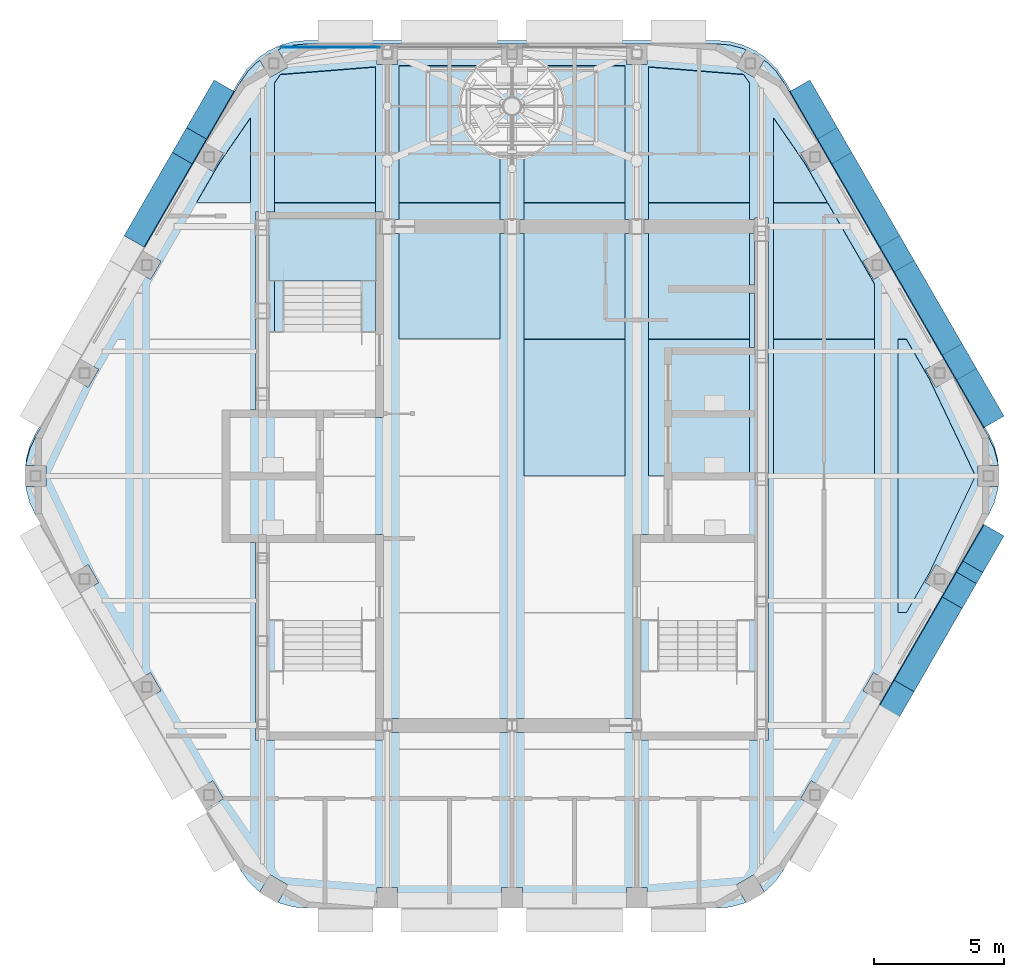
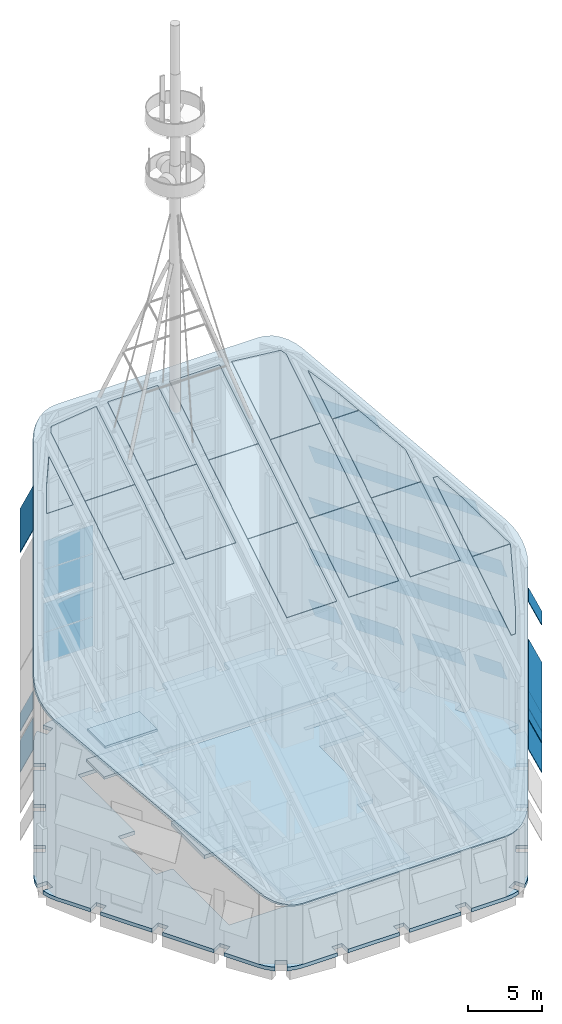
# One storey, part 8 of 25: 35 plates, 5 slabs, 3 elements without a shape of their own.
"""IFC4 building model written with IfcOpenShell, lengths in metres."""

import ifcopenshell
import ifcopenshell.guid

model = None  # the IFC model being written
_history = None  # IfcOwnerHistory: only IFC2X3 demands one
_inside = {}  # id of a spatial element -> (the spatial element, [elements in it])
_under = {}  # id of a project, library or spatial element -> (it, [spatial elements below it])
_declared = {}  # id of a project -> (the project, [libraries it declares])
_typed = {}  # id of a type object -> (the type object, [elements of that type])
_made_of = {}  # id of a material, layer set ... -> (it, [elements and type objects made of it])


def new_model(schema):
    """Start an empty IFC model of exactly this schema.

    Asked for "IFC4X3", IfcOpenShell would pick the latest addendum, in which some entities
    have other attributes; the version numbers below select the first issue.
    IFC2X3 requires an IfcOwnerHistory on every rooted entity: one is made here for all.
    """
    global model, _history
    if schema == "IFC4X3":
        model = ifcopenshell.file(schema_version=(4, 3, 0, 0))
    else:
        model = ifcopenshell.file(schema=schema)
    _inside.clear()
    _under.clear()
    _declared.clear()
    _typed.clear()
    _made_of.clear()
    _history = None
    if model.schema == "IFC2X3":
        org = make("IfcOrganization", Name="unknown")
        user = make(
            "IfcPersonAndOrganization",
            ThePerson=make("IfcPerson", FamilyName="unknown"),
            TheOrganization=org,
        )
        app = make(
            "IfcApplication",
            ApplicationDeveloper=org,
            Version="unknown",
            ApplicationFullName="unknown",
            ApplicationIdentifier="unknown",
        )
        _history = make(
            "IfcOwnerHistory",
            OwningUser=user,
            OwningApplication=app,
            ChangeAction="ADDED",
            CreationDate=0,
        )
    return model


def make(cls, **values):
    """One entity of the class cls with the attributes given. An attribute that is None is left unset."""
    return model.create_entity(
        cls, **{name: value for name, value in values.items() if value is not None}
    )


def rooted(cls, **values):
    """An entity with a GlobalId (a new one), such as an element, a storey or a relation."""
    return make(cls, GlobalId=ifcopenshell.guid.new(), OwnerHistory=_history, **values)


def si_unit(unit_type, name, prefix=None):
    """IfcSIUnit, for example si_unit("LENGTHUNIT", "METRE", prefix="MILLI")."""
    return make("IfcSIUnit", UnitType=unit_type, Prefix=prefix, Name=name)


def assignment(units):
    """IfcUnitAssignment: the units of a project."""
    return None if units is None else make("IfcUnitAssignment", Units=units)


def point(xyz):
    """IfcCartesianPoint."""
    return None if xyz is None else make("IfcCartesianPoint", Coordinates=xyz)


def direction(xyz):
    """IfcDirection."""
    return None if xyz is None else make("IfcDirection", DirectionRatios=xyz)


def frame(location, z_axis=None, x_axis=None):
    """IfcAxis2Placement3D, a coordinate frame: its origin and axes. An axis left out is left unset."""
    return make(
        "IfcAxis2Placement3D",
        Location=point(location),
        Axis=direction(z_axis),
        RefDirection=direction(x_axis),
    )


def frame_2d(location, x_axis=None):
    """IfcAxis2Placement2D, a coordinate frame in the plane: its origin and x axis."""
    return make(
        "IfcAxis2Placement2D", Location=point(location), RefDirection=direction(x_axis)
    )


def origin():
    """The frame at (0, 0, 0) with its axes left unset."""
    return frame((0.0, 0.0, 0.0))


def origin_2d():
    """The frame at (0, 0) in the plane with its x axis left unset."""
    return frame_2d((0.0, 0.0))


def place(relative_to, where):
    """IfcLocalPlacement: puts the frame where relative to a parent placement (None: the world)."""
    return make(
        "IfcLocalPlacement", PlacementRelTo=relative_to, RelativePlacement=where
    )


def context(
    kind, dimensions, precision=None, world=None, true_north=None, identifier=None
):
    """IfcGeometricRepresentationContext, for example the 3D "Model" context."""
    return make(
        "IfcGeometricRepresentationContext",
        ContextIdentifier=identifier,
        ContextType=kind,
        CoordinateSpaceDimension=dimensions,
        Precision=precision,
        WorldCoordinateSystem=world,
        TrueNorth=true_north,
    )


def subcontext(parent, identifier, kind, view, scale=None):
    """IfcGeometricRepresentationSubContext, for example "Body" below "Model"."""
    return make(
        "IfcGeometricRepresentationSubContext",
        ContextIdentifier=identifier,
        ContextType=kind,
        ParentContext=parent,
        TargetScale=scale,
        TargetView=view,
    )


def project(units=None, contexts=None):
    """IfcProject with its units and contexts."""
    return rooted(
        "IfcProject",
        Name="project",
        RepresentationContexts=contexts,
        UnitsInContext=assignment(units),
    )


def spatial(cls, under=None, at=None, **own):
    """A site, building, storey or space (cls), placed at a placement, below another one or the project."""
    s = rooted(cls, ObjectPlacement=at, **own)
    if under is not None:
        _under.setdefault(under.id(), (under, []))[1].append(s)
    return s


def polyline(points):
    """IfcPolyline through the points."""
    return make("IfcPolyline", Points=[point(p) for p in points])


def profile(cls, at=None, kind="AREA", **sizes):
    """A parametric profile (cls). Its sizes go by their IFC names, for example OverallWidth=200.0."""
    return make(cls, ProfileType=kind, Position=at, **sizes)


def rectangle(**sizes):
    """IfcRectangleProfileDef."""
    return profile("IfcRectangleProfileDef", **sizes)


def outline(outer, holes=None, kind="AREA"):
    """IfcArbitraryClosedProfileDef: a profile drawn as a closed curve; with holes, ...WithVoids."""
    if holes is None:
        return make("IfcArbitraryClosedProfileDef", ProfileType=kind, OuterCurve=outer)
    return make(
        "IfcArbitraryProfileDefWithVoids",
        ProfileType=kind,
        OuterCurve=outer,
        InnerCurves=holes,
    )


def extrude(swept, where, along, depth):
    """IfcExtrudedAreaSolid: the profile swept, set in the frame where, extruded along a direction by depth."""
    return make(
        "IfcExtrudedAreaSolid",
        SweptArea=swept,
        Position=where,
        ExtrudedDirection=direction(along),
        Depth=depth,
    )


def shape(context_of_items, identifier, shape_type, items):
    """IfcShapeRepresentation: the items that make up one representation, for example the "Body"."""
    return make(
        "IfcShapeRepresentation",
        ContextOfItems=context_of_items,
        RepresentationIdentifier=identifier,
        RepresentationType=shape_type,
        Items=items,
    )


def material(Name=None, Category=None):
    """IfcMaterial."""
    return make("IfcMaterial", Name=Name, Category=Category)


def layer(
    of_material, thickness, ventilated=None, Name=None, Category=None, Priority=None
):
    """IfcMaterialLayer: one layer of a wall or slab, of a material (None: an air gap)."""
    return make(
        "IfcMaterialLayer",
        Material=of_material,
        LayerThickness=thickness,
        IsVentilated=ventilated,
        Name=Name,
        Category=Category,
        Priority=Priority,
    )


def layer_set(layers, Name=None):
    """IfcMaterialLayerSet."""
    return make("IfcMaterialLayerSet", MaterialLayers=layers, LayerSetName=Name)


def made_of(thing, what):
    """Note that an element or type object is made of a material, layer set ...; save() writes the relation."""
    if what is not None:
        _made_of.setdefault(what.id(), (what, []))[1].append(thing)
    return thing


def type_object(cls, material=None, **own):
    """A type object (cls), such as IfcWallType, which elements share."""
    return made_of(rooted(cls, **own), material)


def element(
    cls,
    number,
    at=None,
    inside=None,
    cuts=None,
    type_object=None,
    material=None,
    context=None,
    identifier="Body",
    shape_type=None,
    held_by="IfcProductDefinitionShape",
    body=None,
    shapes=None,
    **own,
):
    """One element of the class cls, such as IfcWall. Its Tag is "e" and its number.

    at: its placement. inside: the storey or other place that contains it. cuts: it is an
    opening in that element (IfcRelVoidsElement). A single representation is given by context,
    identifier, shape_type and body (its items); several are given by shapes. held_by: the class
    of the entity that holds the representations. save() writes the other relations.
    """
    e = rooted(cls, Tag="e%d" % number, ObjectPlacement=at, **own)
    if body is not None:
        shapes = [shape(context, identifier, shape_type, body)]
    if shapes is not None:
        e.Representation = make(held_by, Representations=shapes)
    if inside is not None:
        _inside.setdefault(inside.id(), (inside, []))[1].append(e)
    if cuts is not None:
        rooted(
            "IfcRelVoidsElement", RelatingBuildingElement=cuts, RelatedOpeningElement=e
        )
    if type_object is not None:
        _typed.setdefault(type_object.id(), (type_object, []))[1].append(e)
    return made_of(e, material)


def aggregate(whole, parts):
    """IfcRelAggregates: a whole, such as a stair, and the parts it consists of."""
    return rooted("IfcRelAggregates", RelatingObject=whole, RelatedObjects=parts)


def save(model, path):
    """Write the relations noted so far, then the file.

    IfcRelAggregates (storeys below a building ...), IfcRelContainedInSpatialStructure (elements
    in a storey), IfcRelDefinesByType, IfcRelAssociatesMaterial and IfcRelDeclares: one each for
    every whole, place, type object, material and project.
    """
    for whole, parts in _under.values():
        aggregate(whole, parts)
    for where, things in _inside.values():
        rooted(
            "IfcRelContainedInSpatialStructure",
            RelatedElements=things,
            RelatingStructure=where,
        )
    for kind, things in _typed.values():
        rooted("IfcRelDefinesByType", RelatedObjects=things, RelatingType=kind)
    for what, things in _made_of.values():
        rooted("IfcRelAssociatesMaterial", RelatedObjects=things, RelatingMaterial=what)
    for by, libraries in _declared.values():
        rooted("IfcRelDeclares", RelatingContext=by, RelatedDefinitions=libraries)
    model.write(path)


model = new_model("IFC4")

# Units and contexts
model_context = context("Model", 3, precision=1e-05, world=origin(), true_north=direction((0.0, 1.0)))
body_context = subcontext(model_context, "Body", "Model", "MODEL_VIEW")
ifc_project = project(units=[si_unit("LENGTHUNIT", "METRE"), si_unit("AREAUNIT", "SQUARE_METRE"), si_unit("VOLUMEUNIT", "CUBIC_METRE"), si_unit("PLANEANGLEUNIT", "RADIAN"), si_unit("MASSUNIT", "GRAM", prefix="KILO")], contexts=[model_context])

# Site, building, storey
site_placement = place(None, origin())
site = spatial("IfcSite", under=ifc_project, at=site_placement, CompositionType="ELEMENT")
building_placement = place(site_placement, origin())
building = spatial("IfcBuilding", under=site, at=building_placement, Name="Kolab Exchange Tower", CompositionType="ELEMENT")
storey_placement = place(building_placement, frame((0.0, 0.0, 301.89990234375)))
storey = spatial("IfcBuildingStorey", under=building, at=storey_placement, Name="L68", CompositionType="ELEMENT", Elevation=301.89990234375)

# Curtain wall, plates
ifc_material_1 = material(Name="Aluminium EN AW-6063 T6", Category="aluminium")
curtain_wall_type = type_object("IfcCurtainWallType", Name="CROWN GLAZING CURTAIN WALL", PredefinedType="NOTDEFINED", material=ifc_material_1)
curtain_wall_1_placement = place(storey_placement, origin())
curtain_wall_1 = element("IfcCurtainWall", 1, at=curtain_wall_1_placement, inside=storey, type_object=curtain_wall_type, Name="cw/L68/crown-F1-1-1", PredefinedType="NOTDEFINED")
ifc_material_2 = material(Name="Clear insulated glazing unit", Category="glass")
ifc_layer_1 = layer(ifc_material_2, 0.033935546875)
ifc_layer_set_1 = layer_set([ifc_layer_1], Name="Clear insulated glazing unit")
plate_type_1 = type_object("IfcPlateType", Name="CROWN GLAZING GLASS PANEL 34", PredefinedType="CURTAIN_PANEL", material=ifc_layer_set_1)
plate_1_placement = place(storey_placement, frame((-6.98388671875, 16.502685546875, 5.06005859375), z_axis=(0.0, 0.0, 1.0), x_axis=(1.0, 0.0, 0.0)))
plate_1 = element("IfcPlate", 2, at=plate_1_placement, type_object=plate_type_1, Name="CW7 panel 1.1", PredefinedType="CURTAIN_PANEL", context=body_context, shape_type="SweptSolid", body=[
    extrude(rectangle(XDim=3.807861328125, YDim=0.033935546875, at=origin_2d()), origin(), (0.0, 0.0, 1.0), 2.385986328125),
])
plate_2_placement = place(storey_placement, frame((-6.98388671875, 16.502685546875, 7.505859375), z_axis=(0.0, 0.0, 1.0), x_axis=(1.0, 0.0, 0.0)))
plate_2 = element("IfcPlate", 3, at=plate_2_placement, type_object=plate_type_1, Name="CW7 panel 1.2", PredefinedType="CURTAIN_PANEL", context=body_context, shape_type="SweptSolid", body=[
    extrude(rectangle(XDim=3.807861328125, YDim=0.033935546875, at=origin_2d()), origin(), (0.0, 0.0, 1.0), 2.385986328125),
])
aggregate(curtain_wall_1, [plate_1, plate_2])

curtain_wall_2_placement = place(storey_placement, origin())
curtain_wall_2 = element("IfcCurtainWall", 4, at=curtain_wall_2_placement, inside=storey, type_object=curtain_wall_type, Name="cw/L68/crown-F1-1-2", PredefinedType="NOTDEFINED")
plate_3_placement = place(storey_placement, frame((-6.98388671875, 16.502685546875, 10.311767578125), z_axis=(0.0, 0.0, 1.0), x_axis=(1.0, 0.0, 0.0)))
plate_3 = element("IfcPlate", 5, at=plate_3_placement, type_object=plate_type_1, Name="CW7 panel 1.1", PredefinedType="CURTAIN_PANEL", context=body_context, shape_type="SweptSolid", body=[
    extrude(rectangle(XDim=3.807861328125, YDim=0.033935546875, at=origin_2d()), origin(), (0.0, 0.0, 1.0), 2.31103515625),
])
plate_4_placement = place(storey_placement, frame((-6.98388671875, 16.502685546875, 12.682861328125), z_axis=(0.0, 0.0, 1.0), x_axis=(1.0, 0.0, 0.0)))
plate_4 = element("IfcPlate", 6, at=plate_4_placement, type_object=plate_type_1, Name="CW7 panel 1.2", PredefinedType="CURTAIN_PANEL", context=body_context, shape_type="SweptSolid", body=[
    extrude(rectangle(XDim=3.807861328125, YDim=0.033935546875, at=origin_2d()), origin(), (0.0, 0.0, 1.0), 2.31103515625),
])
aggregate(curtain_wall_2, [plate_3, plate_4])

# Plates
ifc_layer_2 = layer(ifc_material_2, 0.033935546875)
ifc_layer_set_2 = layer_set([ifc_layer_2], Name="Clear insulated glazing unit")
plate_type_2 = type_object("IfcPlateType", Name="CROWN ROOF GLAZING SHEET 34", PredefinedType="SHEET", material=ifc_layer_set_2)
plate_5_placement = place(storey_placement, frame((-11.264404296875, 12.02490234375, 22.9443359375), z_axis=(2.2989521e-05, -0.529923444965, 0.84804548342), x_axis=(0.504381019711, 0.732277478584, 0.457569100042)))
element("IfcPlate", 7, at=plate_5_placement, inside=storey, type_object=plate_type_2, Name="Crown roof glazing panel", PredefinedType="SHEET", context=body_context, shape_type="SweptSolid", body=[
    extrude(outline(polyline([(0.0, 0.0), (2.387769676402434, -2.220446049250313e-16), (-0.916139343059928, -1.9298960939385252), (-1.9593805537506293, -0.14390665438241942), (0.0, 0.0)])), origin(), (0.0, 0.0, -1.0), 0.033935546875),
])
plate_6_placement = place(storey_placement, frame((-9.139892578125, 5.269287109375, 18.722900390625), z_axis=(0.0, -0.529899474833, 0.848060461625), x_axis=(0.0, 0.848060461625, 0.529899474833)))
element("IfcPlate", 8, at=plate_6_placement, inside=storey, type_object=plate_type_2, Name="Crown roof glazing panel", PredefinedType="SHEET", context=body_context, shape_type="SweptSolid", body=[
    extrude(outline(polyline([(0.0, 0.0), (6.177929581179076, 0.0), (6.177929581179076, -3.8798828125), (0.0, -3.8798828125), (0.0, 0.0)])), origin(), (0.0, 0.0, -1.0), 0.033935546875),
])
plate_7_placement = place(storey_placement, frame((-5.260009765625, 15.7294921875, 25.25927734375), z_axis=(1.0464515e-05, -0.529923845077, 0.848045233646), x_axis=(8.8e-11, -0.848045233692, -0.529923845106)))
element("IfcPlate", 9, at=plate_7_placement, inside=storey, type_object=plate_type_2, Name="Crown roof glazing panel", PredefinedType="SHEET", context=body_context, shape_type="SweptSolid", body=[
    extrude(outline(polyline([(0.0, 0.0), (6.132874472508835, 6.776263578034403e-21), (6.132874472168645, -3.8798828122875655), (0.7317505001661384, -3.8798828132984964), (0.34351590598921616, -3.653320311199337), (0.0, 0.0)])), origin(), (0.0, 0.0, -1.0), 0.033935546875),
])
plate_8_placement = place(storey_placement, frame((-4.340087890625, 5.269287109375, 18.722900390625), z_axis=(0.0, -0.529899474833, 0.848060461625), x_axis=(0.0, 0.848060461625, 0.529899474833)))
element("IfcPlate", 10, at=plate_8_placement, inside=storey, type_object=plate_type_2, Name="Crown roof glazing panel", PredefinedType="SHEET", context=body_context, shape_type="SweptSolid", body=[
    extrude(outline(polyline([(0.0, 0.0), (6.177929581179076, 0.0), (6.177929581179076, -3.880126953125), (0.0, -3.880126953125), (0.0, 0.0)])), origin(), (0.0, 0.0, -1.0), 0.033935546875),
])
plate_9_placement = place(storey_placement, frame((-0.4599609375, 15.767578125, 25.283203125), z_axis=(0.0, -0.529945655328, 0.848031604599), x_axis=(0.0, -0.848031604599, -0.529945655328)))
element("IfcPlate", 11, at=plate_9_placement, inside=storey, type_object=plate_type_2, Name="Crown roof glazing panel", PredefinedType="SHEET", context=body_context, shape_type="SweptSolid", body=[
    extrude(outline(polyline([(0.0, 0.0), (6.177851914316706, 0.0), (6.177851914316706, -3.880126953125), (0.0, -3.880126953125), (0.0, 0.0)])), origin(), (0.0, 0.0, -1.0), 0.033935546875),
])
plate_10_placement = place(storey_placement, frame((0.4599609375, 0.010009765625, 15.4365234375), z_axis=(0.0, -0.529927895685, 0.848042702566), x_axis=(0.0, 0.848042702566, 0.529927895685)))
element("IfcPlate", 12, at=plate_10_placement, inside=storey, type_object=plate_type_2, Name="Crown roof glazing panel", PredefinedType="SHEET", context=body_context, shape_type="SweptSolid", body=[
    extrude(outline(polyline([(0.0, 0.0), (6.178058954637429, 0.0), (6.178058954637429, -3.880126953125), (0.0, -3.880126953125), (0.0, 0.0)])), origin(), (0.0, 0.0, -1.0), 0.033935546875),
])
plate_11_placement = place(storey_placement, frame((0.4599609375, 5.269287109375, 18.722900390625), z_axis=(0.0, -0.529899474833, 0.848060461625), x_axis=(0.0, 0.848060461625, 0.529899474833)))
element("IfcPlate", 13, at=plate_11_placement, inside=storey, type_object=plate_type_2, Name="Crown roof glazing panel", PredefinedType="SHEET", context=body_context, shape_type="SweptSolid", body=[
    extrude(outline(polyline([(0.0, 0.0), (6.177929581179076, 0.0), (6.177929581179076, -3.880126953125), (0.0, -3.880126953125), (0.0, 0.0)])), origin(), (0.0, 0.0, -1.0), 0.033935546875),
])
plate_12_placement = place(storey_placement, frame((4.340087890625, 15.767578125, 25.283203125), z_axis=(0.0, -0.529945655328, 0.848031604599), x_axis=(0.0, -0.848031604599, -0.529945655328)))
element("IfcPlate", 14, at=plate_12_placement, inside=storey, type_object=plate_type_2, Name="Crown roof glazing panel", PredefinedType="SHEET", context=body_context, shape_type="SweptSolid", body=[
    extrude(outline(polyline([(0.0, 0.0), (6.177851914316706, 0.0), (6.177851914316706, -3.880126953125), (0.0, -3.880126953125), (0.0, 0.0)])), origin(), (0.0, 0.0, -1.0), 0.033935546875),
])
plate_13_placement = place(storey_placement, frame((5.260009765625, 0.010009765625, 15.4365234375), z_axis=(0.0, -0.529927895685, 0.848042702566), x_axis=(0.0, 0.848042702566, 0.529927895685)))
element("IfcPlate", 15, at=plate_13_placement, inside=storey, type_object=plate_type_2, Name="Crown roof glazing panel", PredefinedType="SHEET", context=body_context, shape_type="SweptSolid", body=[
    extrude(outline(polyline([(0.0, 0.0), (6.178058954637429, 0.0), (6.178058954637429, -3.8798828125), (0.0, -3.8798828125), (0.0, 0.0)])), origin(), (0.0, 0.0, -1.0), 0.033935546875),
])
plate_14_placement = place(storey_placement, frame((5.260009765625, 5.269287109375, 18.722900390625), z_axis=(0.0, -0.529899474833, 0.848060461625), x_axis=(0.0, 0.848060461625, 0.529899474833)))
element("IfcPlate", 16, at=plate_14_placement, inside=storey, type_object=plate_type_2, Name="Crown roof glazing panel", PredefinedType="SHEET", context=body_context, shape_type="SweptSolid", body=[
    extrude(outline(polyline([(0.0, 0.0), (6.177929581179076, 0.0), (6.177929581179076, -3.8798828125), (0.0, -3.8798828125), (0.0, 0.0)])), origin(), (0.0, 0.0, -1.0), 0.033935546875),
])
plate_15_placement = place(storey_placement, frame((8.913330078125, 15.438232421875, 25.0771484375), z_axis=(-1.0464515e-05, -0.529923845077, 0.848045233646), x_axis=(0.504024258344, -0.73245055621, -0.457685186246)))
element("IfcPlate", 17, at=plate_15_placement, inside=storey, type_object=plate_type_2, Name="Crown roof glazing panel", PredefinedType="SHEET", context=body_context, shape_type="SweptSolid", body=[
    extrude(outline(polyline([(0.0, 0.0), (0.44950713840066103, -4.163336342344337e-17), (5.114401183468214, -2.722297505643609), (3.1588461264363823, -6.07331153963417), (-2.1380531407121, -2.982194031477551), (0.0, 0.0)])), origin(), (0.0, 0.0, -1.0), 0.033935546875),
])
plate_16_placement = place(storey_placement, frame((10.06005859375, 0.010009765625, 15.4365234375), z_axis=(0.0, -0.529927895685, 0.848042702566), x_axis=(0.0, 0.848042702566, 0.529927895685)))
element("IfcPlate", 18, at=plate_16_placement, inside=storey, type_object=plate_type_2, Name="Crown roof glazing panel", PredefinedType="SHEET", context=body_context, shape_type="SweptSolid", body=[
    extrude(outline(polyline([(0.0, 0.0), (6.178058954637429, 0.0), (6.178058954637429, -3.8798828125), (0.0, -3.8798828125), (0.0, 0.0)])), origin(), (0.0, 0.0, -1.0), 0.033935546875),
])
plate_17_placement = place(storey_placement, frame((13.6552734375, 7.8837890625, 20.356689453125), z_axis=(-2.3686535e-05, -0.529905187228, 0.848056891952), x_axis=(0.439683931105, -0.761689996737, -0.475926874214)))
element("IfcPlate", 19, at=plate_17_placement, inside=storey, type_object=plate_type_2, Name="Crown roof glazing panel", PredefinedType="SHEET", context=body_context, shape_type="SweptSolid", body=[
    extrude(outline(polyline([(0.0, 0.0), (0.6474377373864466, 2.7755575615628914e-17), (2.8941680373451364, -1.0998701625791354), (1.188245910120343, -4.584596884451592), (-4.36047742638209, -1.8682605202969225), (-3.446007844087349, -0.00025228070269511793), (0.0, 0.0)])), origin(), (0.0, 0.0, -1.0), 0.033935546875),
])
plate_18_placement = place(storey_placement, frame((11.264404296875, 12.02490234375, 22.9443359375), z_axis=(-2.2989521e-05, -0.529923444965, 0.84804548342), x_axis=(0.439778142488, -0.761640471596, -0.475919087047)))
element("IfcPlate", 20, at=plate_18_placement, inside=storey, type_object=plate_type_2, Name="Crown roof glazing panel", PredefinedType="SHEET", context=body_context, shape_type="SweptSolid", body=[
    extrude(outline(polyline([(0.0, 0.0), (1.9646580566581207, -8.326672684688674e-17), (1.0550388127223036, -1.8576068833181485), (-2.381355602784418, -0.17489860100711707), (0.0, 0.0)])), origin(), (0.0, 0.0, -1.0), 0.033935546875),
])
plate_19_placement = place(storey_placement, frame((17.82177734375, -0.010009765625, 15.424072265625), z_axis=(-2.865514e-05, -0.529917489585, 0.848049204593), x_axis=(-0.374102773752, -0.786464340751, -0.491447815539)))
element("IfcPlate", 21, at=plate_19_placement, inside=storey, type_object=plate_type_2, Name="Crown roof glazing panel", PredefinedType="SHEET", context=body_context, shape_type="SweptSolid", body=[
    extrude(outline(polyline([(0.0, 0.0), (4.746382244443765, 5.551115123125783e-17), (6.71914492560363, -0.14218122839967162), (6.837422047676092, -0.4353859379741053), (1.1079689327112197, -2.746614928067532), (0.0, 0.0)])), origin(), (0.0, 0.0, -1.0), 0.033935546875),
])
plate_20_placement = place(storey_placement, frame((16.046142578125, 3.742919921875, 17.76904296875), z_axis=(2.865514e-05, -0.529917489585, 0.848049204593), x_axis=(0.374102773752, -0.786464340751, -0.491447815539)))
element("IfcPlate", 22, at=plate_20_placement, inside=storey, type_object=plate_type_2, Name="Crown roof glazing panel", PredefinedType="SHEET", context=body_context, shape_type="SweptSolid", body=[
    extrude(outline(polyline([(0.0, 0.0), (4.746382244443765, -5.551115123125783e-17), (3.638413311732546, -2.7466149280675314), (-2.0910398032323254, -0.43538593797410513), (-1.9727626811598642, -0.14218122839967162), (0.0, 0.0)])), origin(), (0.0, 0.0, -1.0), 0.033935546875),
])

# Slabs
ifc_layer_3 = layer(ifc_material_1, 0.25)
ifc_layer_set_3 = layer_set([ifc_layer_3], Name="Aluminium EN AW-6063 T6")
slab_type_1 = type_object("IfcSlabType", Name="CROWN ROOF SLAB 250 CLAD", PredefinedType="ROOF", material=ifc_layer_set_3)
slab_1_placement = place(storey_placement, frame((18.333984375, -1.5, 14.452880859375), z_axis=(0.0, -0.529919626098, 0.848047870038), x_axis=(0.367695593913, 0.788638901147, 0.492796746961)))
element("IfcSlab", 23, at=slab_1_placement, inside=storey, type_object=slab_type_1, Name="Crown roof slab", PredefinedType="ROOF", context=body_context, shape_type="SweptSolid", body=[
    extrude(outline(polyline([(0.0, 0.0), (0.600897234785252, -3.469446951953614e-17), (1.2046450704577396, 0.09301330697405705), (1.7925954755391862, 0.2766547000190035), (2.3472719635823887, 0.544801668888251), (2.8513757296153863, 0.8898267656925445), (3.2897902922857942, 1.3007649094697769), (15.340465745245103, 14.526153733733475), (15.700026638313819, 14.990973935612232), (15.969434326247619, 15.49496967420162), (16.1409185410567, 16.023517221072098), (16.208899795887174, 16.559971218706906), (16.171581494770187, 17.088394447791124), (16.029974439045503, 17.592647058467747), (10.243975461979115, 32.22613165461014), (10.002446581468355, 32.690875727713205), (9.66829897252389, 33.10193428810423), (9.251832782251526, 33.44684044192976), (8.765257860744597, 33.715195041279216), (8.224028332388837, 33.89866930233483), (7.64381417519952, 33.99190764045853), (-10.192860254826176, 35.40000341233723), (-10.79375748961143, 35.40000341233723), (-11.397505325283916, 35.30699010536316), (-11.985576042071163, 35.12330114173433), (-12.540132218408564, 34.85520174344897), (-13.044235984441563, 34.51017664664468), (-13.482650547111971, 34.09923850286745), (-25.53332600007128, 20.873849678603754), (-25.892886893139995, 20.409029476725), (-26.162294581073798, 19.905033738135604), (-26.33377879588288, 19.376486191265133), (-26.401880362419153, 18.83998462304642), (-26.364441749596363, 18.311608964546107), (-26.222955005577482, 17.807308783285585), (-20.43695602851109, 3.1738241871431896), (-20.19530683629453, 2.709127684624027), (-19.861279539055868, 2.2980215536491), (-19.444693037077702, 1.9531629704074707), (-18.958118115570773, 1.6848083710580084), (-18.416888587215013, 1.5013341100023943), (-17.8366744300257, 1.4080957718786966), (0.0, 0.0)])), origin(), (0.0, 0.0, -1.0), 0.25),
])
ifc_material_3 = material(Name="Concrete C35/45", Category="concrete")
ifc_layer_4 = layer(ifc_material_3, 0.300048828125)
ifc_layer_set_4 = layer_set([ifc_layer_4], Name="Concrete C35/45")
slab_type_2 = type_object("IfcSlabType", Name="FLOOR SLAB 300", PredefinedType="FLOOR", material=ifc_layer_set_4)
slab_2_placement = place(storey_placement, frame((0.0, 0.0, -0.2998046875)))
element("IfcSlab", 24, at=slab_2_placement, inside=storey, type_object=slab_type_2, Name="slab/L68/floor/0", PredefinedType="FLOOR", context=body_context, shape_type="SweptSolid", body=[
    extrude(outline(polyline([(18.6904296875, -0.52099609375), (18.700927734375, -0.39990234375), (17.935791015625, -0.39990234375), (17.935791015625, 0.39990234375), (18.700927734375, 0.39990234375), (18.6904296875, 0.52099609375), (18.554931640625, 1.026123046875), (18.333984375, 1.5), (17.0, 3.810546875), (16.30712890625, 3.410400390625), (15.9072265625, 4.103271484375), (16.60009765625, 4.50341796875), (14.60009765625, 7.967529296875), (13.9072265625, 7.5673828125), (13.507080078125, 8.26025390625), (14.199951171875, 8.66015625), (12.199951171875, 12.124267578125), (11.507080078125, 11.724365234375), (11.107177734375, 12.417236328125), (11.800048828125, 12.817138671875), (10.466064453125, 15.127685546875), (10.166015625, 15.55615234375), (9.79638671875, 15.92578125), (9.69677734375, 15.995361328125), (9.314453125, 15.3330078125), (8.62158203125, 15.73291015625), (9.004150390625, 16.3955078125), (8.89404296875, 16.44677734375), (8.388916015625, 16.58203125), (7.867919921875, 16.627685546875), (5.199951171875, 16.627685546875), (5.199951171875, 15.82763671875), (4.39990234375, 15.82763671875), (4.39990234375, 16.627685546875), (0.39990234375, 16.627685546875), (0.39990234375, 15.82763671875), (-0.39990234375, 15.82763671875), (-0.39990234375, 16.627685546875), (-4.39990234375, 16.627685546875), (-4.39990234375, 15.82763671875), (-5.199951171875, 15.82763671875), (-5.199951171875, 16.627685546875), (-7.867919921875, 16.627685546875), (-8.388916015625, 16.58203125), (-8.89404296875, 16.44677734375), (-9.004150390625, 16.3955078125), (-8.62158203125, 15.73291015625), (-9.314453125, 15.3330078125), (-9.69677734375, 15.995361328125), (-9.79638671875, 15.92578125), (-10.166015625, 15.55615234375), (-10.466064453125, 15.127685546875), (-11.800048828125, 12.817138671875), (-11.107177734375, 12.417236328125), (-11.507080078125, 11.724365234375), (-12.199951171875, 12.124267578125), (-14.199951171875, 8.66015625), (-13.507080078125, 8.26025390625), (-13.9072265625, 7.5673828125), (-14.60009765625, 7.967529296875), (-16.60009765625, 4.50341796875), (-15.9072265625, 4.103271484375), (-16.30712890625, 3.410400390625), (-17.0, 3.810546875), (-18.333984375, 1.5), (-18.554931640625, 1.026123046875), (-18.6904296875, 0.52099609375), (-18.700927734375, 0.39990234375), (-17.935791015625, 0.39990234375), (-17.935791015625, -0.39990234375), (-18.700927734375, -0.39990234375), (-18.6904296875, -0.52099609375), (-18.554931640625, -1.026123046875), (-18.333984375, -1.5), (-17.0, -3.810546875), (-16.30712890625, -3.410400390625), (-15.9072265625, -4.103271484375), (-16.60009765625, -4.50341796875), (-14.60009765625, -7.967529296875), (-13.9072265625, -7.5673828125), (-13.507080078125, -8.26025390625), (-14.199951171875, -8.66015625), (-12.199951171875, -12.124267578125), (-11.507080078125, -11.724365234375), (-11.107177734375, -12.417236328125), (-11.800048828125, -12.817138671875), (-10.466064453125, -15.127685546875), (-10.166015625, -15.55615234375), (-9.79638671875, -15.92578125), (-9.69677734375, -15.995361328125), (-9.314453125, -15.3330078125), (-8.62158203125, -15.73291015625), (-9.004150390625, -16.3955078125), (-8.89404296875, -16.44677734375), (-8.388916015625, -16.58203125), (-7.867919921875, -16.627685546875), (-5.199951171875, -16.627685546875), (-5.199951171875, -15.82763671875), (-4.39990234375, -15.82763671875), (-4.39990234375, -16.627685546875), (-0.39990234375, -16.627685546875), (-0.39990234375, -15.82763671875), (0.39990234375, -15.82763671875), (0.39990234375, -16.627685546875), (4.39990234375, -16.627685546875), (4.39990234375, -15.82763671875), (5.199951171875, -15.82763671875), (5.199951171875, -16.627685546875), (7.867919921875, -16.627685546875), (8.388916015625, -16.58203125), (8.89404296875, -16.44677734375), (9.004150390625, -16.3955078125), (8.62158203125, -15.73291015625), (9.314453125, -15.3330078125), (9.69677734375, -15.995361328125), (9.79638671875, -15.92578125), (10.166015625, -15.55615234375), (10.466064453125, -15.127685546875), (11.800048828125, -12.817138671875), (11.107177734375, -12.417236328125), (11.507080078125, -11.724365234375), (12.199951171875, -12.124267578125), (14.199951171875, -8.66015625), (13.507080078125, -8.26025390625), (13.9072265625, -7.5673828125), (14.60009765625, -7.967529296875), (16.60009765625, -4.50341796875), (15.9072265625, -4.103271484375), (16.30712890625, -3.410400390625), (17.0, -3.810546875), (18.333984375, -1.5), (18.554931640625, -1.026123046875), (18.6904296875, -0.52099609375)]), holes=[polyline([(-10.85009765625, -2.550048828125), (-11.14990234375, -2.550048828125), (-11.14990234375, 2.550048828125), (-10.85009765625, 2.550048828125), (-9.875, 2.550048828125), (-9.875, 10.14990234375), (-9.324951171875, 10.14990234375), (-5.25, 10.14990234375), (-4.949951171875, 10.14990234375), (-4.949951171875, 9.875), (9.324951171875, 9.875), (9.324951171875, 9.925048828125), (9.875, 9.925048828125), (9.875, -10.14990234375), (9.324951171875, -10.14990234375), (4.949951171875, -10.14990234375), (4.64990234375, -10.14990234375), (4.64990234375, -9.875), (-4.949951171875, -9.875), (-4.949951171875, -10.14990234375), (-5.25, -10.14990234375), (-9.324951171875, -10.14990234375), (-9.875, -10.14990234375), (-9.875, -2.550048828125), (-10.85009765625, -2.550048828125)])]), origin(), (0.0, 0.0, 1.0), 0.2998046875),
])
slab_3_placement = place(storey_placement, frame((0.0, 0.0, -0.2998046875)))
element("IfcSlab", 25, at=slab_3_placement, inside=storey, type_object=slab_type_2, Name="slab/L68/floor/1", PredefinedType="FLOOR", context=body_context, shape_type="SweptSolid", body=[
    extrude(outline(polyline([(-7.25, 2.25), (-7.25, -2.25), (-5.25, -2.25), (-4.949951171875, -2.25), (-4.949951171875, -9.324951171875), (4.64990234375, -9.324951171875), (4.64990234375, -2.25), (4.949951171875, -2.25), (5.85009765625, -2.25), (5.85009765625, 4.949951171875), (6.14990234375, 4.949951171875), (9.324951171875, 4.949951171875), (9.324951171875, 7.050048828125), (6.0, 7.050048828125), (6.0, 7.35009765625), (9.324951171875, 7.35009765625), (9.324951171875, 9.324951171875), (-4.949951171875, 9.324951171875), (-4.949951171875, 2.25), (-5.25, 2.25), (-7.25, 2.25)])), origin(), (0.0, 0.0, 1.0), 0.2998046875),
])

# Plates
ifc_material_4 = material(Name="Laminated glass, clear", Category="glass")
ifc_layer_5 = layer(ifc_material_4, 0.0400390625)
ifc_layer_set_5 = layer_set([ifc_layer_5], Name="Laminated glass, clear")
plate_type_3 = type_object("IfcPlateType", Name="OUTER SKIN LAMINATED GLASS SHEET 40", PredefinedType="SHEET", material=ifc_layer_set_5)
plate_21_placement = place(storey_placement, frame((11.460693359375, 15.239990234375, 2.527099609375), z_axis=(0.784891112432, 0.45312116534, 0.422643054061), x_axis=(0.499974724637, -0.86603999596, -1.1039122e-05)))
element("IfcPlate", 26, at=plate_21_placement, inside=storey, type_object=plate_type_3, Name="Outer skin", PredefinedType="SHEET", context=body_context, shape_type="SweptSolid", body=[
    extrude(outline(polyline([(0.0, 0.0), (2.1176960035160506, 5.551115123125783e-17), (2.1179552295036137, -2.085318138685354), (4.779044167451096e-05, -2.085266547008332), (0.0, 0.0)])), origin(), (0.0, 0.0, -1.0), 0.0400390625),
])
plate_22_placement = place(storey_placement, frame((13.069580078125, 12.453125, 2.527099609375), z_axis=(0.784897489351, 0.453177384709, 0.42257092801), x_axis=(0.500013743233, -0.86601746898, 0.0)))
element("IfcPlate", 27, at=plate_22_placement, inside=storey, type_object=plate_type_3, Name="Outer skin", PredefinedType="SHEET", context=body_context, shape_type="SweptSolid", body=[
    extrude(outline(polyline([(0.0, 0.0), (3.7000936100046706, 1.1102230246251565e-16), (3.6999111277522783, -2.085214960370441), (-0.0001824822523921022, -2.085214960370441), (0.0, 0.0)])), origin(), (0.0, 0.0, -1.0), 0.0400390625),
])
plate_23_placement = place(storey_placement, frame((15.469482421875, 8.29638671875, 2.527099609375), z_axis=(0.784878071656, 0.453166173486, 0.422619015003), x_axis=(0.500013743233, -0.86601746898, 0.0)))
element("IfcPlate", 28, at=plate_23_placement, inside=storey, type_object=plate_type_3, Name="Outer skin", PredefinedType="SHEET", context=body_context, shape_type="SweptSolid", body=[
    extrude(outline(polyline([(0.0, 0.0), (3.7000936100046706, 1.1102230246251565e-16), (3.7001225577984163, -2.085266548088635), (2.8947793745559486e-05, -2.085266548088635), (0.0, 0.0)])), origin(), (0.0, 0.0, -1.0), 0.0400390625),
])
plate_24_placement = place(storey_placement, frame((17.86962890625, 4.139404296875, 2.527099609375), z_axis=(0.784874443197, 0.453133621372, 0.422660655371), x_axis=(0.499996260511, -0.866027562557, -1.9119215e-05)))
element("IfcPlate", 29, at=plate_24_placement, inside=storey, type_object=plate_type_3, Name="Outer skin", PredefinedType="SHEET", context=body_context, shape_type="SweptSolid", body=[
    extrude(outline(polyline([(0.0, 0.0), (2.1180295057597727, 1.1102230246251565e-16), (2.1179180413926417, -2.085355908149832), (1.0605032407880244e-05, -2.0852665460615505), (0.0, 0.0)])), origin(), (0.0, 0.0, -1.0), 0.0400390625),
])
for number, where, z_axis, x_axis, name in (
    (30, (11.460693359375, 15.239990234375, 6.72705078125), (0.784869053105, 0.453142957492, 0.422660655317), (0.499999935131, -0.866025441233, -2.711241e-06), "Outer skin"),
    (31, (11.460693359375, 15.239990234375, 10.927001953125), (0.784869053105, 0.453142957492, 0.422660655317), (0.499999935131, -0.866025441233, -2.711241e-06), "Outer skin"),
):
    element("IfcPlate", number, at=place(storey_placement, frame(where, z_axis=z_axis, x_axis=x_axis)), inside=storey, type_object=plate_type_3, Name=name, PredefinedType="SHEET", context=body_context, shape_type="SweptSolid", body=[
        extrude(outline(polyline([(0.0, 0.0), (14.935886698645515, 0.0), (14.935802503469061, -2.0853559094291354), (3.787512021025612e-05, -2.085266545744581), (0.0, 0.0)])), origin(), (0.0, 0.0, -1.0), 0.0400390625),
    ])
plate_25_placement = place(storey_placement, frame((11.460693359375, 15.239990234375, 15.126953125), z_axis=(0.784886014294, 0.453155402725, 0.422615813176), x_axis=(0.500002300759, -0.866024075431, -3.133603e-06)))
element("IfcPlate", 32, at=plate_25_placement, inside=storey, type_object=plate_type_3, Name="Outer skin", PredefinedType="SHEET", context=body_context, shape_type="SweptSolid", body=[
    extrude(outline(polyline([(0.0, 0.0), (12.921665138851408, 0.0), (12.921577736831834, -2.0855771688325007), (3.466885463411155e-05, -2.085487814816666), (0.0, 0.0)])), origin(), (0.0, 0.0, -1.0), 0.0400390625),
])
plate_26_placement = place(storey_placement, frame((11.460693359375, 15.239990234375, 19.326904296875), z_axis=(0.784880289564, 0.453142899142, 0.422639851424), x_axis=(0.499998421882, -0.866026314821, -1.2377243e-05)))
element("IfcPlate", 33, at=plate_26_placement, inside=storey, type_object=plate_type_3, Name="Outer skin", PredefinedType="SHEET", context=body_context, shape_type="SweptSolid", body=[
    extrude(outline(polyline([(0.0, 0.0), (5.160423587321266, -1.1102230246251565e-16), (5.160534093845768, -2.085628764017189), (2.1144245953195333e-05, -2.085487811722815), (0.0, 0.0)])), origin(), (0.0, 0.0, -1.0), 0.0400390625),
])
plate_27_placement = place(storey_placement, frame((18.9287109375, -2.30517578125, 2.527099609375), z_axis=(0.784874443197, -0.453133621372, 0.422660655371), x_axis=(-0.499996260511, -0.866027562557, 1.9119215e-05)))
element("IfcPlate", 34, at=plate_27_placement, inside=storey, type_object=plate_type_3, Name="Outer skin", PredefinedType="SHEET", context=body_context, shape_type="SweptSolid", body=[
    extrude(outline(polyline([(0.0, 0.0), (2.1180295057597727, -1.1102230246251565e-16), (2.1180189007273644, -2.085266546061551), (0.00011146436713102415, -2.085355908149832), (0.0, 0.0)])), origin(), (0.0, 0.0, -1.0), 0.0400390625),
])
plate_28_placement = place(storey_placement, frame((17.319580078125, -5.092041015625, 2.527099609375), z_axis=(0.784878071656, -0.453166173486, 0.422619015003), x_axis=(-0.500013743233, -0.86601746898, 0.0)))
element("IfcPlate", 35, at=plate_28_placement, inside=storey, type_object=plate_type_3, Name="Outer skin", PredefinedType="SHEET", context=body_context, shape_type="SweptSolid", body=[
    extrude(outline(polyline([(0.0, 0.0), (3.7000936100046706, -1.1102230246251565e-16), (3.7000646622109254, -2.0852665480886357), (-2.8947793745559486e-05, -2.085266548088635), (0.0, 0.0)])), origin(), (0.0, 0.0, -1.0), 0.0400390625),
])
plate_29_placement = place(storey_placement, frame((18.9287109375, -2.30517578125, 6.72705078125), z_axis=(0.784868405532, -0.453144079133, 0.422660655307), x_axis=(-0.500001819763, -0.86602435313, 4.313235e-06)))
element("IfcPlate", 36, at=plate_29_placement, inside=storey, type_object=plate_type_3, Name="Outer skin", PredefinedType="SHEET", context=body_context, shape_type="SweptSolid", body=[
    extrude(outline(polyline([(0.0, 0.0), (9.388487310231369, -2.220446049250313e-16), (9.388454380526843, -2.0852665458285458), (8.914105225332191e-05, -2.085355909223587), (0.0, 0.0)])), origin(), (0.0, 0.0, -1.0), 0.0400390625),
])
plate_30_placement = place(storey_placement, frame((18.9287109375, -2.30517578125, 10.927001953125), z_axis=(0.784873716324, -0.45311245728, 0.422684693929), x_axis=(-0.49997561944, -0.866039479386, 1.051823e-05)))
element("IfcPlate", 37, at=plate_30_placement, inside=storey, type_object=plate_type_3, Name="Outer skin", PredefinedType="SHEET", context=body_context, shape_type="SweptSolid", body=[
    extrude(outline(polyline([(0.0, 0.0), (1.6274571909394941, 0.0), (1.6271978911881677, -2.085318139016511), (7.420002866009533e-05, -2.0853559116164075), (0.0, 0.0)])), origin(), (0.0, 0.0, -1.0), 0.0400390625),
])
plate_31_placement = place(storey_placement, frame((-14.919677734375, 9.248779296875, 2.527099609375), z_axis=(-0.784897489351, 0.453177384709, 0.42257092801), x_axis=(0.500013743233, 0.86601746898, 0.0)))
element("IfcPlate", 38, at=plate_31_placement, inside=storey, type_object=plate_type_3, Name="Outer skin", PredefinedType="SHEET", context=body_context, shape_type="SweptSolid", body=[
    extrude(outline(polyline([(0.0, 0.0), (3.7000936100046706, -1.1102230246251565e-16), (3.700276092257063, -2.085214960370441), (0.0001824822523921022, -2.085214960370441), (0.0, 0.0)])), origin(), (0.0, 0.0, -1.0), 0.0400390625),
])
plate_32_placement = place(storey_placement, frame((-12.51953125, 13.406005859375, 2.527099609375), z_axis=(-0.784891112432, 0.45312116534, 0.422643054061), x_axis=(0.499974724637, 0.86603999596, 1.1039122e-05)))
element("IfcPlate", 39, at=plate_32_placement, inside=storey, type_object=plate_type_3, Name="Outer skin", PredefinedType="SHEET", context=body_context, shape_type="SweptSolid", body=[
    extrude(outline(polyline([(0.0, 0.0), (2.1176960035160506, -5.551115123125783e-17), (2.117648213074376, -2.085266547008332), (-0.0002592259875631051, -2.085318138685354), (0.0, 0.0)])), origin(), (0.0, 0.0, -1.0), 0.0400390625),
])
plate_33_placement = place(storey_placement, frame((-14.041015625, 10.77099609375, 19.326904296875), z_axis=(-0.784880289564, 0.453142899142, 0.422639851424), x_axis=(0.499998421882, 0.866026314821, 1.2377243e-05)))
element("IfcPlate", 40, at=plate_33_placement, inside=storey, type_object=plate_type_3, Name="Outer skin", PredefinedType="SHEET", context=body_context, shape_type="SweptSolid", body=[
    extrude(outline(polyline([(0.0, 0.0), (5.160423587321266, 1.1102230246251565e-16), (5.160402443075314, -2.085487811722815), (-0.00011050652450280488, -2.0856287640171884), (0.0, 0.0)])), origin(), (0.0, 0.0, -1.0), 0.0400390625),
])

# Stair, slabs
ifc_material_5 = material(Name="Concrete C50/60", Category="concrete")
stair_type = type_object("IfcStairType", Name="STAIR ST1 RISER 156.2", PredefinedType="DOUBLE_RETURN_STAIR", material=ifc_material_5)
stair_placement = place(storey_placement, origin())
stair = element("IfcStair", 41, at=stair_placement, inside=storey, type_object=stair_type, Name="Stair 1", PredefinedType="DOUBLE_RETURN_STAIR")
ifc_layer_6 = layer(ifc_material_5, 0.199951171875)
ifc_layer_set_6 = layer_set([ifc_layer_6], Name="Concrete C50/60")
slab_type_3 = type_object("IfcSlabType", Name="STAIR LANDING 200", PredefinedType="LANDING", material=ifc_layer_set_6)
slab_4_placement = place(storey_placement, frame((0.0, 0.0, 1.050048828125)))
slab_4 = element("IfcSlab", 42, at=slab_4_placement, type_object=slab_type_3, Name="ST1 landing 2", PredefinedType="LANDING", context=body_context, shape_type="SweptSolid", body=[
    extrude(outline(polyline([(-9.385009765625, 7.510009765625), (-5.18994140625, 7.510009765625), (-5.18994140625, 9.909912109375), (-9.385009765625, 9.909912109375), (-9.385009765625, 7.510009765625)])), origin(), (0.0, 0.0, 1.0), 0.199951171875),
])
slab_5_placement = place(storey_placement, frame((0.0, 0.0, 3.550048828125)))
slab_5 = element("IfcSlab", 43, at=slab_5_placement, type_object=slab_type_3, Name="ST1 landing 4", PredefinedType="LANDING", context=body_context, shape_type="SweptSolid", body=[
    extrude(outline(polyline([(-9.324951171875, 7.510009765625), (-5.25, 7.510009765625), (-5.25, 9.909912109375), (-9.324951171875, 9.909912109375), (-9.324951171875, 7.510009765625)])), origin(), (0.0, 0.0, 1.0), 0.199951171875),
])
aggregate(stair, [slab_4, slab_5])

save(model, "model.ifc")
